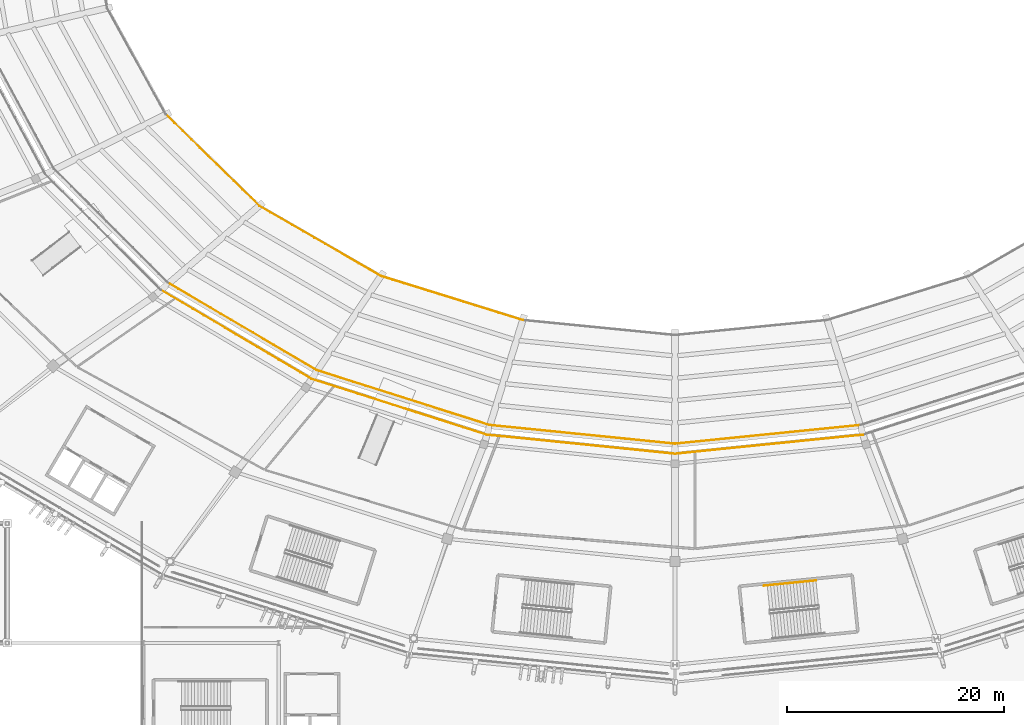
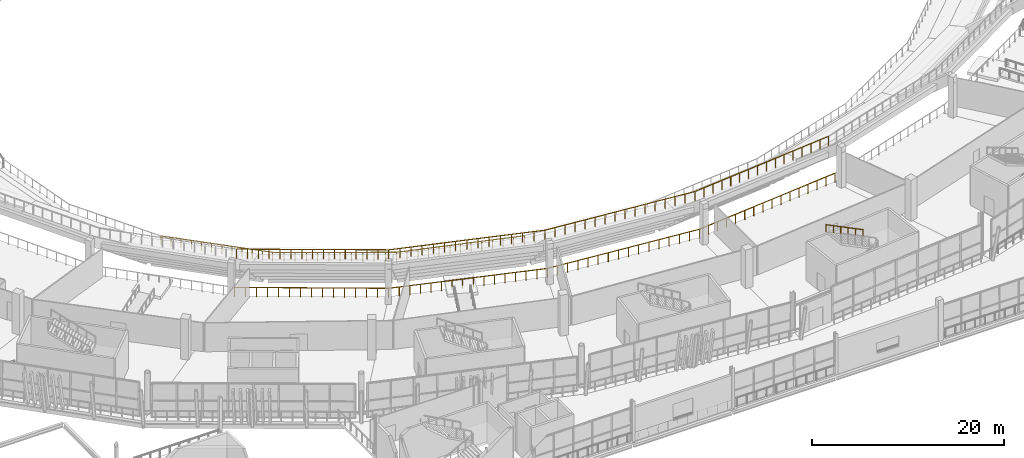
# One storey, part 150 of 178: 12 railings.
"""IFC4 building model written with IfcOpenShell, lengths in metres."""

from ifc_helpers import new_model, si_unit, direction, frame, origin, origin_2d, place, context, subcontext, project, spatial, rectangle, extrude, material, type_object, element, save


model = new_model("IFC4")

# Units and contexts
model_context = context("Model", 3, precision=1e-05, world=origin(), true_north=direction((0.0, 1.0)))
body_context = subcontext(model_context, "Body", "Model", "MODEL_VIEW")
ifc_project = project(units=[si_unit("LENGTHUNIT", "METRE"), si_unit("AREAUNIT", "SQUARE_METRE"), si_unit("VOLUMEUNIT", "CUBIC_METRE"), si_unit("PLANEANGLEUNIT", "RADIAN"), si_unit("MASSUNIT", "GRAM", prefix="KILO")], contexts=[model_context])

# Site, building, storey
site_placement = place(None, origin())
site = spatial("IfcSite", under=ifc_project, at=site_placement, CompositionType="ELEMENT")
building_placement = place(site_placement, origin())
building = spatial("IfcBuilding", under=site, at=building_placement, Name="Zlatoyarsky Gate Stadium", CompositionType="ELEMENT")
storey_placement = place(building_placement, frame((0.0, 0.0, 5.39990234375)))
storey = spatial("IfcBuildingStorey", under=building, at=storey_placement, Name="L01", CompositionType="ELEMENT", Elevation=5.39990234375)

# Railings
ifc_material_1 = material(Name="Galvanised steel sightline guardrail", Category="steel")
railing_type_1 = type_object("IfcRailingType", Name="BOWL FRONT SIGHTLINE GUARDRAIL 1150", PredefinedType="GUARDRAIL", material=ifc_material_1)
railing_1_placement = place(storey_placement, frame((64.104736328125, 59.675048828125, -3.349853515625)))
element("IfcRailing", 1, at=railing_1_placement, inside=storey, type_object=railing_type_1, Name="Lower bowl front guardrail 14", PredefinedType="GUARDRAIL", context=body_context, shape_type="SweptSolid", body=[
    extrude(rectangle(XDim=0.048095703125, YDim=0.048095703125, at=origin_2d()), frame((0.0, 0.0, 1.1259765625), z_axis=(0.714811106108, -0.699317583495, 0.0), x_axis=(0.699317583495, 0.714811106108, 0.0)), (0.0, 0.0, 1.0), 12.038818359375),
    extrude(rectangle(XDim=0.0419921875, YDim=0.0419921875, at=origin_2d()), origin(), (0.0, 0.0, 1.0), 1.101806640625),
    extrude(rectangle(XDim=0.0419921875, YDim=0.0419921875, at=origin_2d()), frame((0.7822265625, -0.765380859375, 0.0)), (0.0, 0.0, 1.0), 1.101806640625),
    extrude(rectangle(XDim=0.0419921875, YDim=0.0419921875, at=origin_2d()), frame((1.564697265625, -1.53076171875, 0.0)), (0.0, 0.0, 1.0), 1.101806640625),
    extrude(rectangle(XDim=0.0419921875, YDim=0.0419921875, at=origin_2d()), frame((2.346923828125, -2.296142578125, 0.0)), (0.0, 0.0, 1.0), 1.101806640625),
    extrude(rectangle(XDim=0.0419921875, YDim=0.0419921875, at=origin_2d()), frame((3.129150390625, -3.0615234375, 0.0)), (0.0, 0.0, 1.0), 1.101806640625),
    extrude(rectangle(XDim=0.0419921875, YDim=0.0419921875, at=origin_2d()), frame((3.91162109375, -3.826904296875, 0.0)), (0.0, 0.0, 1.0), 1.101806640625),
    extrude(rectangle(XDim=0.0419921875, YDim=0.0419921875, at=origin_2d()), frame((4.69384765625, -4.592041015625, 0.0)), (0.0, 0.0, 1.0), 1.101806640625),
    extrude(rectangle(XDim=0.0419921875, YDim=0.0419921875, at=origin_2d()), frame((5.476318359375, -5.357421875, 0.0)), (0.0, 0.0, 1.0), 1.101806640625),
    extrude(rectangle(XDim=0.0419921875, YDim=0.0419921875, at=origin_2d()), frame((6.258544921875, -6.122802734375, 0.0)), (0.0, 0.0, 1.0), 1.101806640625),
    extrude(rectangle(XDim=0.0419921875, YDim=0.0419921875, at=origin_2d()), frame((7.040771484375, -6.88818359375, 0.0)), (0.0, 0.0, 1.0), 1.101806640625),
    extrude(rectangle(XDim=0.0419921875, YDim=0.0419921875, at=origin_2d()), frame((7.8232421875, -7.653564453125, 0.0)), (0.0, 0.0, 1.0), 1.101806640625),
    extrude(rectangle(XDim=0.0419921875, YDim=0.0419921875, at=origin_2d()), frame((8.60546875, -8.4189453125, 0.0)), (0.0, 0.0, 1.0), 1.101806640625),
])
railing_2_placement = place(storey_placement, frame((72.710205078125, 51.256103515625, -3.349853515625)))
element("IfcRailing", 2, at=railing_2_placement, inside=storey, type_object=railing_type_1, Name="Lower bowl front guardrail 15", PredefinedType="GUARDRAIL", context=body_context, shape_type="SweptSolid", body=[
    extrude(rectangle(XDim=0.048095703125, YDim=0.048095703125, at=origin_2d()), frame((0.0, 0.0, 1.1259765625), z_axis=(0.866524556925, -0.499134443057, 0.0), x_axis=(0.499134443057, 0.866524556925, 0.0)), (0.0, 0.0, 1.0), 12.9423828125),
    extrude(rectangle(XDim=0.0419921875, YDim=0.0419921875, at=origin_2d()), origin(), (0.0, 0.0, 1.0), 1.101806640625),
    extrude(rectangle(XDim=0.0419921875, YDim=0.0419921875, at=origin_2d()), frame((1.01953125, -0.587158203125, 0.0)), (0.0, 0.0, 1.0), 1.101806640625),
    extrude(rectangle(XDim=0.0419921875, YDim=0.0419921875, at=origin_2d()), frame((2.0390625, -1.174560546875, 0.0)), (0.0, 0.0, 1.0), 1.101806640625),
    extrude(rectangle(XDim=0.0419921875, YDim=0.0419921875, at=origin_2d()), frame((3.05859375, -1.76171875, 0.0)), (0.0, 0.0, 1.0), 1.101806640625),
    extrude(rectangle(XDim=0.0419921875, YDim=0.0419921875, at=origin_2d()), frame((4.078125, -2.34912109375, 0.0)), (0.0, 0.0, 1.0), 1.101806640625),
    extrude(rectangle(XDim=0.0419921875, YDim=0.0419921875, at=origin_2d()), frame((5.09765625, -2.936279296875, 0.0)), (0.0, 0.0, 1.0), 1.101806640625),
    extrude(rectangle(XDim=0.0419921875, YDim=0.0419921875, at=origin_2d()), frame((6.1171875, -3.523681640625, 0.0)), (0.0, 0.0, 1.0), 1.101806640625),
    extrude(rectangle(XDim=0.0419921875, YDim=0.0419921875, at=origin_2d()), frame((7.13671875, -4.11083984375, 0.0)), (0.0, 0.0, 1.0), 1.101806640625),
    extrude(rectangle(XDim=0.0419921875, YDim=0.0419921875, at=origin_2d()), frame((8.15625, -4.6982421875, 0.0)), (0.0, 0.0, 1.0), 1.101806640625),
    extrude(rectangle(XDim=0.0419921875, YDim=0.0419921875, at=origin_2d()), frame((9.17578125, -5.285400390625, 0.0)), (0.0, 0.0, 1.0), 1.101806640625),
    extrude(rectangle(XDim=0.0419921875, YDim=0.0419921875, at=origin_2d()), frame((10.1953125, -5.872802734375, 0.0)), (0.0, 0.0, 1.0), 1.101806640625),
    extrude(rectangle(XDim=0.0419921875, YDim=0.0419921875, at=origin_2d()), frame((11.21484375, -6.4599609375, 0.0)), (0.0, 0.0, 1.0), 1.101806640625),
])
railing_3_placement = place(storey_placement, frame((83.925048828125, 44.796142578125, -3.349853515625)))
element("IfcRailing", 3, at=railing_3_placement, inside=storey, type_object=railing_type_1, Name="Lower bowl front guardrail 16", PredefinedType="GUARDRAIL", context=body_context, shape_type="SweptSolid", body=[
    extrude(rectangle(XDim=0.048095703125, YDim=0.048095703125, at=origin_2d()), frame((0.0, 0.0, 1.1259765625), z_axis=(0.954898625262, -0.296932004797, 0.0), x_axis=(0.296932004797, 0.954898625262, 0.0)), (0.0, 0.0, 1.0), 13.6767578125),
    extrude(rectangle(XDim=0.0419921875, YDim=0.0419921875, at=origin_2d()), origin(), (0.0, 0.0, 1.0), 1.101806640625),
    extrude(rectangle(XDim=0.0419921875, YDim=0.0419921875, at=origin_2d()), frame((1.08837890625, -0.33837890625, 0.0)), (0.0, 0.0, 1.0), 1.101806640625),
    extrude(rectangle(XDim=0.0419921875, YDim=0.0419921875, at=origin_2d()), frame((2.1767578125, -0.6767578125, 0.0)), (0.0, 0.0, 1.0), 1.101806640625),
    extrude(rectangle(XDim=0.0419921875, YDim=0.0419921875, at=origin_2d()), frame((3.264892578125, -1.01513671875, 0.0)), (0.0, 0.0, 1.0), 1.101806640625),
    extrude(rectangle(XDim=0.0419921875, YDim=0.0419921875, at=origin_2d()), frame((4.353271484375, -1.353759765625, 0.0)), (0.0, 0.0, 1.0), 1.101806640625),
    extrude(rectangle(XDim=0.0419921875, YDim=0.0419921875, at=origin_2d()), frame((5.441650390625, -1.692138671875, 0.0)), (0.0, 0.0, 1.0), 1.101806640625),
    extrude(rectangle(XDim=0.0419921875, YDim=0.0419921875, at=origin_2d()), frame((6.52978515625, -2.030517578125, 0.0)), (0.0, 0.0, 1.0), 1.101806640625),
    extrude(rectangle(XDim=0.0419921875, YDim=0.0419921875, at=origin_2d()), frame((7.6181640625, -2.368896484375, 0.0)), (0.0, 0.0, 1.0), 1.101806640625),
    extrude(rectangle(XDim=0.0419921875, YDim=0.0419921875, at=origin_2d()), frame((8.70654296875, -2.707275390625, 0.0)), (0.0, 0.0, 1.0), 1.101806640625),
    extrude(rectangle(XDim=0.0419921875, YDim=0.0419921875, at=origin_2d()), frame((9.794921875, -3.0458984375, 0.0)), (0.0, 0.0, 1.0), 1.101806640625),
    extrude(rectangle(XDim=0.0419921875, YDim=0.0419921875, at=origin_2d()), frame((10.88330078125, -3.38427734375, 0.0)), (0.0, 0.0, 1.0), 1.101806640625),
    extrude(rectangle(XDim=0.0419921875, YDim=0.0419921875, at=origin_2d()), frame((11.971435546875, -3.72265625, 0.0)), (0.0, 0.0, 1.0), 1.101806640625),
    extrude(rectangle(XDim=0.0419921875, YDim=0.0419921875, at=origin_2d()), frame((13.059814453125, -4.06103515625, 0.0)), (0.0, 0.0, 1.0), 1.101806640625),
])
ifc_material_2 = material(Name="Powder-coated steel tubular guardrail", Category="steel")
railing_type_2 = type_object("IfcRailingType", Name="CONCOURSE SLAB EDGE GUARDRAIL 1200", PredefinedType="GUARDRAIL", material=ifc_material_2)
railing_4_placement = place(storey_placement, frame((64.295654296875, 44.18505859375, 4.25)))
element("IfcRailing", 4, at=railing_4_placement, inside=storey, type_object=railing_type_2, Name="Lower bowl back guardrail 15", PredefinedType="GUARDRAIL", context=body_context, shape_type="SweptSolid", body=[
    extrude(rectangle(XDim=0.048095703125, YDim=0.048095703125, at=origin_2d()), frame((0.0, 0.0, 1.17578125), z_axis=(0.861863030795, -0.507141120546, 0.0), x_axis=(0.507141120546, 0.861863030795, 0.0)), (0.0, 0.0, 1.0), 15.871826171875),
    extrude(rectangle(XDim=0.0419921875, YDim=0.0419921875, at=origin_2d()), origin(), (0.0, 0.0, 1.0), 1.15185546875),
    extrude(rectangle(XDim=0.0419921875, YDim=0.0419921875, at=origin_2d()), frame((0.97705078125, -0.574951171875, 0.0)), (0.0, 0.0, 1.0), 1.15185546875),
    extrude(rectangle(XDim=0.0419921875, YDim=0.0419921875, at=origin_2d()), frame((1.9541015625, -1.14990234375, 0.0)), (0.0, 0.0, 1.0), 1.15185546875),
    extrude(rectangle(XDim=0.0419921875, YDim=0.0419921875, at=origin_2d()), frame((2.931396484375, -1.724853515625, 0.0)), (0.0, 0.0, 1.0), 1.15185546875),
    extrude(rectangle(XDim=0.0419921875, YDim=0.0419921875, at=origin_2d()), frame((3.908447265625, -2.2998046875, 0.0)), (0.0, 0.0, 1.0), 1.15185546875),
    extrude(rectangle(XDim=0.0419921875, YDim=0.0419921875, at=origin_2d()), frame((4.885498046875, -2.874755859375, 0.0)), (0.0, 0.0, 1.0), 1.15185546875),
    extrude(rectangle(XDim=0.0419921875, YDim=0.0419921875, at=origin_2d()), frame((5.862548828125, -3.44970703125, 0.0)), (0.0, 0.0, 1.0), 1.15185546875),
    extrude(rectangle(XDim=0.0419921875, YDim=0.0419921875, at=origin_2d()), frame((6.83984375, -4.024658203125, 0.0)), (0.0, 0.0, 1.0), 1.15185546875),
    extrude(rectangle(XDim=0.0419921875, YDim=0.0419921875, at=origin_2d()), frame((7.81689453125, -4.599609375, 0.0)), (0.0, 0.0, 1.0), 1.15185546875),
    extrude(rectangle(XDim=0.0419921875, YDim=0.0419921875, at=origin_2d()), frame((8.7939453125, -5.174560546875, 0.0)), (0.0, 0.0, 1.0), 1.15185546875),
    extrude(rectangle(XDim=0.0419921875, YDim=0.0419921875, at=origin_2d()), frame((9.77099609375, -5.74951171875, 0.0)), (0.0, 0.0, 1.0), 1.15185546875),
    extrude(rectangle(XDim=0.0419921875, YDim=0.0419921875, at=origin_2d()), frame((10.748046875, -6.324462890625, 0.0)), (0.0, 0.0, 1.0), 1.15185546875),
    extrude(rectangle(XDim=0.0419921875, YDim=0.0419921875, at=origin_2d()), frame((11.725341796875, -6.8994140625, 0.0)), (0.0, 0.0, 1.0), 1.15185546875),
    extrude(rectangle(XDim=0.0419921875, YDim=0.0419921875, at=origin_2d()), frame((12.702392578125, -7.474365234375, 0.0)), (0.0, 0.0, 1.0), 1.15185546875),
    extrude(rectangle(XDim=0.0419921875, YDim=0.0419921875, at=origin_2d()), frame((13.679443359375, -8.04931640625, 0.0)), (0.0, 0.0, 1.0), 1.15185546875),
])
railing_5_placement = place(storey_placement, frame((63.637939453125, 43.52734375, 0.0)))
element("IfcRailing", 5, at=railing_5_placement, inside=storey, type_object=railing_type_2, Name="L01 inner bowl edge guardrail 15", PredefinedType="GUARDRAIL", context=body_context, shape_type="SweptSolid", body=[
    extrude(rectangle(XDim=0.048095703125, YDim=0.048095703125, at=origin_2d()), frame((0.0, 0.0, 1.17578125), z_axis=(0.860929544652, -0.508724207351, 0.0), x_axis=(0.508724207351, 0.860929544652, 0.0)), (0.0, 0.0, 1.0), 16.11279296875),
    extrude(rectangle(XDim=0.0419921875, YDim=0.0419921875, at=origin_2d()), origin(), (0.0, 0.0, 1.0), 1.15185546875),
    extrude(rectangle(XDim=0.0419921875, YDim=0.0419921875, at=origin_2d()), frame((0.990966796875, -0.58544921875, 0.0)), (0.0, 0.0, 1.0), 1.15185546875),
    extrude(rectangle(XDim=0.0419921875, YDim=0.0419921875, at=origin_2d()), frame((1.981689453125, -1.1708984375, 0.0)), (0.0, 0.0, 1.0), 1.15185546875),
    extrude(rectangle(XDim=0.0419921875, YDim=0.0419921875, at=origin_2d()), frame((2.97265625, -1.756591796875, 0.0)), (0.0, 0.0, 1.0), 1.15185546875),
    extrude(rectangle(XDim=0.0419921875, YDim=0.0419921875, at=origin_2d()), frame((3.96337890625, -2.342041015625, 0.0)), (0.0, 0.0, 1.0), 1.15185546875),
    extrude(rectangle(XDim=0.0419921875, YDim=0.0419921875, at=origin_2d()), frame((4.954345703125, -2.927490234375, 0.0)), (0.0, 0.0, 1.0), 1.15185546875),
    extrude(rectangle(XDim=0.0419921875, YDim=0.0419921875, at=origin_2d()), frame((5.945068359375, -3.512939453125, 0.0)), (0.0, 0.0, 1.0), 1.15185546875),
    extrude(rectangle(XDim=0.0419921875, YDim=0.0419921875, at=origin_2d()), frame((6.93603515625, -4.0986328125, 0.0)), (0.0, 0.0, 1.0), 1.15185546875),
    extrude(rectangle(XDim=0.0419921875, YDim=0.0419921875, at=origin_2d()), frame((7.927001953125, -4.68408203125, 0.0)), (0.0, 0.0, 1.0), 1.15185546875),
    extrude(rectangle(XDim=0.0419921875, YDim=0.0419921875, at=origin_2d()), frame((8.917724609375, -5.26953125, 0.0)), (0.0, 0.0, 1.0), 1.15185546875),
    extrude(rectangle(XDim=0.0419921875, YDim=0.0419921875, at=origin_2d()), frame((9.90869140625, -5.85498046875, 0.0)), (0.0, 0.0, 1.0), 1.15185546875),
    extrude(rectangle(XDim=0.0419921875, YDim=0.0419921875, at=origin_2d()), frame((10.8994140625, -6.4404296875, 0.0)), (0.0, 0.0, 1.0), 1.15185546875),
    extrude(rectangle(XDim=0.0419921875, YDim=0.0419921875, at=origin_2d()), frame((11.890380859375, -7.026123046875, 0.0)), (0.0, 0.0, 1.0), 1.15185546875),
    extrude(rectangle(XDim=0.0419921875, YDim=0.0419921875, at=origin_2d()), frame((12.881103515625, -7.611572265625, 0.0)), (0.0, 0.0, 1.0), 1.15185546875),
    extrude(rectangle(XDim=0.0419921875, YDim=0.0419921875, at=origin_2d()), frame((13.8720703125, -8.197021484375, 0.0)), (0.0, 0.0, 1.0), 1.15185546875),
])
railing_6_placement = place(storey_placement, frame((77.97509765625, 36.1357421875, 4.25)))
element("IfcRailing", 6, at=railing_6_placement, inside=storey, type_object=railing_type_2, Name="Lower bowl back guardrail 16", PredefinedType="GUARDRAIL", context=body_context, shape_type="SweptSolid", body=[
    extrude(rectangle(XDim=0.048095703125, YDim=0.048095703125, at=origin_2d()), frame((0.0, 0.0, 1.17578125), z_axis=(0.953077784344, -0.302725514269, 0.0), x_axis=(0.302725514269, 0.953077784344, 0.0)), (0.0, 0.0, 1.0), 16.714111328125),
    extrude(rectangle(XDim=0.0419921875, YDim=0.0419921875, at=origin_2d()), origin(), (0.0, 0.0, 1.0), 1.15185546875),
    extrude(rectangle(XDim=0.0419921875, YDim=0.0419921875, at=origin_2d()), frame((1.137939453125, -0.361328125, 0.0)), (0.0, 0.0, 1.0), 1.15185546875),
    extrude(rectangle(XDim=0.0419921875, YDim=0.0419921875, at=origin_2d()), frame((2.275634765625, -0.722900390625, 0.0)), (0.0, 0.0, 1.0), 1.15185546875),
    extrude(rectangle(XDim=0.0419921875, YDim=0.0419921875, at=origin_2d()), frame((3.41357421875, -1.084228515625, 0.0)), (0.0, 0.0, 1.0), 1.15185546875),
    extrude(rectangle(XDim=0.0419921875, YDim=0.0419921875, at=origin_2d()), frame((4.551513671875, -1.445556640625, 0.0)), (0.0, 0.0, 1.0), 1.15185546875),
    extrude(rectangle(XDim=0.0419921875, YDim=0.0419921875, at=origin_2d()), frame((5.689208984375, -1.80712890625, 0.0)), (0.0, 0.0, 1.0), 1.15185546875),
    extrude(rectangle(XDim=0.0419921875, YDim=0.0419921875, at=origin_2d()), frame((6.8271484375, -2.16845703125, 0.0)), (0.0, 0.0, 1.0), 1.15185546875),
    extrude(rectangle(XDim=0.0419921875, YDim=0.0419921875, at=origin_2d()), frame((7.96484375, -2.52978515625, 0.0)), (0.0, 0.0, 1.0), 1.15185546875),
    extrude(rectangle(XDim=0.0419921875, YDim=0.0419921875, at=origin_2d()), frame((9.102783203125, -2.891357421875, 0.0)), (0.0, 0.0, 1.0), 1.15185546875),
    extrude(rectangle(XDim=0.0419921875, YDim=0.0419921875, at=origin_2d()), frame((10.24072265625, -3.252685546875, 0.0)), (0.0, 0.0, 1.0), 1.15185546875),
    extrude(rectangle(XDim=0.0419921875, YDim=0.0419921875, at=origin_2d()), frame((11.37841796875, -3.6142578125, 0.0)), (0.0, 0.0, 1.0), 1.15185546875),
    extrude(rectangle(XDim=0.0419921875, YDim=0.0419921875, at=origin_2d()), frame((12.516357421875, -3.9755859375, 0.0)), (0.0, 0.0, 1.0), 1.15185546875),
    extrude(rectangle(XDim=0.0419921875, YDim=0.0419921875, at=origin_2d()), frame((13.654296875, -4.3369140625, 0.0)), (0.0, 0.0, 1.0), 1.15185546875),
    extrude(rectangle(XDim=0.0419921875, YDim=0.0419921875, at=origin_2d()), frame((14.7919921875, -4.698486328125, 0.0)), (0.0, 0.0, 1.0), 1.15185546875),
    extrude(rectangle(XDim=0.0419921875, YDim=0.0419921875, at=origin_2d()), frame((15.929931640625, -5.059814453125, 0.0)), (0.0, 0.0, 1.0), 1.15185546875),
])
railing_7_placement = place(storey_placement, frame((77.510009765625, 35.330322265625, 0.0)))
element("IfcRailing", 7, at=railing_7_placement, inside=storey, type_object=railing_type_2, Name="L01 inner bowl edge guardrail 16", PredefinedType="GUARDRAIL", context=body_context, shape_type="SweptSolid", body=[
    extrude(rectangle(XDim=0.048095703125, YDim=0.048095703125, at=origin_2d()), frame((0.0, 0.0, 1.17578125), z_axis=(0.952706937482, -0.303890590958, 0.0), x_axis=(0.303890590958, 0.952706937482, 0.0)), (0.0, 0.0, 1.0), 16.956298828125),
    extrude(rectangle(XDim=0.0419921875, YDim=0.0419921875, at=origin_2d()), origin(), (0.0, 0.0, 1.0), 1.15185546875),
    extrude(rectangle(XDim=0.0419921875, YDim=0.0419921875, at=origin_2d()), frame((1.076904296875, -0.343505859375, 0.0)), (0.0, 0.0, 1.0), 1.15185546875),
    extrude(rectangle(XDim=0.0419921875, YDim=0.0419921875, at=origin_2d()), frame((2.15380859375, -0.68701171875, 0.0)), (0.0, 0.0, 1.0), 1.15185546875),
    extrude(rectangle(XDim=0.0419921875, YDim=0.0419921875, at=origin_2d()), frame((3.23095703125, -1.030517578125, 0.0)), (0.0, 0.0, 1.0), 1.15185546875),
    extrude(rectangle(XDim=0.0419921875, YDim=0.0419921875, at=origin_2d()), frame((4.307861328125, -1.3740234375, 0.0)), (0.0, 0.0, 1.0), 1.15185546875),
    extrude(rectangle(XDim=0.0419921875, YDim=0.0419921875, at=origin_2d()), frame((5.384765625, -1.717529296875, 0.0)), (0.0, 0.0, 1.0), 1.15185546875),
    extrude(rectangle(XDim=0.0419921875, YDim=0.0419921875, at=origin_2d()), frame((6.461669921875, -2.06103515625, 0.0)), (0.0, 0.0, 1.0), 1.15185546875),
    extrude(rectangle(XDim=0.0419921875, YDim=0.0419921875, at=origin_2d()), frame((7.53857421875, -2.404541015625, 0.0)), (0.0, 0.0, 1.0), 1.15185546875),
    extrude(rectangle(XDim=0.0419921875, YDim=0.0419921875, at=origin_2d()), frame((8.61572265625, -2.748291015625, 0.0)), (0.0, 0.0, 1.0), 1.15185546875),
    extrude(rectangle(XDim=0.0419921875, YDim=0.0419921875, at=origin_2d()), frame((9.692626953125, -3.091796875, 0.0)), (0.0, 0.0, 1.0), 1.15185546875),
    extrude(rectangle(XDim=0.0419921875, YDim=0.0419921875, at=origin_2d()), frame((10.76953125, -3.435302734375, 0.0)), (0.0, 0.0, 1.0), 1.15185546875),
    extrude(rectangle(XDim=0.0419921875, YDim=0.0419921875, at=origin_2d()), frame((11.846435546875, -3.77880859375, 0.0)), (0.0, 0.0, 1.0), 1.15185546875),
    extrude(rectangle(XDim=0.0419921875, YDim=0.0419921875, at=origin_2d()), frame((12.92333984375, -4.122314453125, 0.0)), (0.0, 0.0, 1.0), 1.15185546875),
    extrude(rectangle(XDim=0.0419921875, YDim=0.0419921875, at=origin_2d()), frame((14.00048828125, -4.4658203125, 0.0)), (0.0, 0.0, 1.0), 1.15185546875),
    extrude(rectangle(XDim=0.0419921875, YDim=0.0419921875, at=origin_2d()), frame((15.077392578125, -4.809326171875, 0.0)), (0.0, 0.0, 1.0), 1.15185546875),
    extrude(rectangle(XDim=0.0419921875, YDim=0.0419921875, at=origin_2d()), frame((16.154296875, -5.15283203125, 0.0)), (0.0, 0.0, 1.0), 1.15185546875),
])
railing_8_placement = place(storey_placement, frame((93.905029296875, 31.075927734375, 4.25)))
element("IfcRailing", 8, at=railing_8_placement, inside=storey, type_object=railing_type_2, Name="Lower bowl back guardrail 17", PredefinedType="GUARDRAIL", context=body_context, shape_type="SweptSolid", body=[
    extrude(rectangle(XDim=0.048095703125, YDim=0.048095703125, at=origin_2d()), frame((0.0, 0.0, 1.17578125), z_axis=(0.994942626701, -0.100444858373, 0.0), x_axis=(0.100444858373, 0.994942626701, 0.0)), (0.0, 0.0, 1.0), 17.181884765625),
    extrude(rectangle(XDim=0.0419921875, YDim=0.0419921875, at=origin_2d()), origin(), (0.0, 0.0, 1.0), 1.15185546875),
    extrude(rectangle(XDim=0.0419921875, YDim=0.0419921875, at=origin_2d()), frame((1.1396484375, -0.114990234375, 0.0)), (0.0, 0.0, 1.0), 1.15185546875),
    extrude(rectangle(XDim=0.0419921875, YDim=0.0419921875, at=origin_2d()), frame((2.279296875, -0.230224609375, 0.0)), (0.0, 0.0, 1.0), 1.15185546875),
    extrude(rectangle(XDim=0.0419921875, YDim=0.0419921875, at=origin_2d()), frame((3.4189453125, -0.34521484375, 0.0)), (0.0, 0.0, 1.0), 1.15185546875),
    extrude(rectangle(XDim=0.0419921875, YDim=0.0419921875, at=origin_2d()), frame((4.55859375, -0.460205078125, 0.0)), (0.0, 0.0, 1.0), 1.15185546875),
    extrude(rectangle(XDim=0.0419921875, YDim=0.0419921875, at=origin_2d()), frame((5.6982421875, -0.5751953125, 0.0)), (0.0, 0.0, 1.0), 1.15185546875),
    extrude(rectangle(XDim=0.0419921875, YDim=0.0419921875, at=origin_2d()), frame((6.837890625, -0.6904296875, 0.0)), (0.0, 0.0, 1.0), 1.15185546875),
    extrude(rectangle(XDim=0.0419921875, YDim=0.0419921875, at=origin_2d()), frame((7.9775390625, -0.805419921875, 0.0)), (0.0, 0.0, 1.0), 1.15185546875),
    extrude(rectangle(XDim=0.0419921875, YDim=0.0419921875, at=origin_2d()), frame((9.117431640625, -0.92041015625, 0.0)), (0.0, 0.0, 1.0), 1.15185546875),
    extrude(rectangle(XDim=0.0419921875, YDim=0.0419921875, at=origin_2d()), frame((10.257080078125, -1.035400390625, 0.0)), (0.0, 0.0, 1.0), 1.15185546875),
    extrude(rectangle(XDim=0.0419921875, YDim=0.0419921875, at=origin_2d()), frame((11.396728515625, -1.150634765625, 0.0)), (0.0, 0.0, 1.0), 1.15185546875),
    extrude(rectangle(XDim=0.0419921875, YDim=0.0419921875, at=origin_2d()), frame((12.536376953125, -1.265625, 0.0)), (0.0, 0.0, 1.0), 1.15185546875),
    extrude(rectangle(XDim=0.0419921875, YDim=0.0419921875, at=origin_2d()), frame((13.676025390625, -1.380615234375, 0.0)), (0.0, 0.0, 1.0), 1.15185546875),
    extrude(rectangle(XDim=0.0419921875, YDim=0.0419921875, at=origin_2d()), frame((14.815673828125, -1.49560546875, 0.0)), (0.0, 0.0, 1.0), 1.15185546875),
    extrude(rectangle(XDim=0.0419921875, YDim=0.0419921875, at=origin_2d()), frame((15.955322265625, -1.61083984375, 0.0)), (0.0, 0.0, 1.0), 1.15185546875),
    extrude(rectangle(XDim=0.0419921875, YDim=0.0419921875, at=origin_2d()), frame((17.094970703125, -1.725830078125, 0.0)), (0.0, 0.0, 1.0), 1.15185546875),
])
railing_9_placement = place(storey_placement, frame((93.664306640625, 30.177490234375, 0.0)))
element("IfcRailing", 9, at=railing_9_placement, inside=storey, type_object=railing_type_2, Name="L01 inner bowl edge guardrail 17", PredefinedType="GUARDRAIL", context=body_context, shape_type="SweptSolid", body=[
    extrude(rectangle(XDim=0.048095703125, YDim=0.048095703125, at=origin_2d()), frame((0.0, 0.0, 1.17578125), z_axis=(0.994899888432, -0.100867298954, 0.0), x_axis=(0.100867298954, 0.994899888432, 0.0)), (0.0, 0.0, 1.0), 17.424560546875),
    extrude(rectangle(XDim=0.0419921875, YDim=0.0419921875, at=origin_2d()), origin(), (0.0, 0.0, 1.0), 1.15185546875),
    extrude(rectangle(XDim=0.0419921875, YDim=0.0419921875, at=origin_2d()), frame((1.15576171875, -0.1171875, 0.0)), (0.0, 0.0, 1.0), 1.15185546875),
    extrude(rectangle(XDim=0.0419921875, YDim=0.0419921875, at=origin_2d()), frame((2.3115234375, -0.234375, 0.0)), (0.0, 0.0, 1.0), 1.15185546875),
    extrude(rectangle(XDim=0.0419921875, YDim=0.0419921875, at=origin_2d()), frame((3.467041015625, -0.3515625, 0.0)), (0.0, 0.0, 1.0), 1.15185546875),
    extrude(rectangle(XDim=0.0419921875, YDim=0.0419921875, at=origin_2d()), frame((4.622802734375, -0.46875, 0.0)), (0.0, 0.0, 1.0), 1.15185546875),
    extrude(rectangle(XDim=0.0419921875, YDim=0.0419921875, at=origin_2d()), frame((5.778564453125, -0.5859375, 0.0)), (0.0, 0.0, 1.0), 1.15185546875),
    extrude(rectangle(XDim=0.0419921875, YDim=0.0419921875, at=origin_2d()), frame((6.934326171875, -0.703125, 0.0)), (0.0, 0.0, 1.0), 1.15185546875),
    extrude(rectangle(XDim=0.0419921875, YDim=0.0419921875, at=origin_2d()), frame((8.090087890625, -0.8203125, 0.0)), (0.0, 0.0, 1.0), 1.15185546875),
    extrude(rectangle(XDim=0.0419921875, YDim=0.0419921875, at=origin_2d()), frame((9.24560546875, -0.937255859375, 0.0)), (0.0, 0.0, 1.0), 1.15185546875),
    extrude(rectangle(XDim=0.0419921875, YDim=0.0419921875, at=origin_2d()), frame((10.4013671875, -1.054443359375, 0.0)), (0.0, 0.0, 1.0), 1.15185546875),
    extrude(rectangle(XDim=0.0419921875, YDim=0.0419921875, at=origin_2d()), frame((11.55712890625, -1.171630859375, 0.0)), (0.0, 0.0, 1.0), 1.15185546875),
    extrude(rectangle(XDim=0.0419921875, YDim=0.0419921875, at=origin_2d()), frame((12.712890625, -1.288818359375, 0.0)), (0.0, 0.0, 1.0), 1.15185546875),
    extrude(rectangle(XDim=0.0419921875, YDim=0.0419921875, at=origin_2d()), frame((13.86865234375, -1.406005859375, 0.0)), (0.0, 0.0, 1.0), 1.15185546875),
    extrude(rectangle(XDim=0.0419921875, YDim=0.0419921875, at=origin_2d()), frame((15.024169921875, -1.523193359375, 0.0)), (0.0, 0.0, 1.0), 1.15185546875),
    extrude(rectangle(XDim=0.0419921875, YDim=0.0419921875, at=origin_2d()), frame((16.179931640625, -1.640380859375, 0.0)), (0.0, 0.0, 1.0), 1.15185546875),
    extrude(rectangle(XDim=0.0419921875, YDim=0.0419921875, at=origin_2d()), frame((17.335693359375, -1.757568359375, 0.0)), (0.0, 0.0, 1.0), 1.15185546875),
])
railing_10_placement = place(storey_placement, frame((111.0, 29.35009765625, 4.25)))
element("IfcRailing", 10, at=railing_10_placement, inside=storey, type_object=railing_type_2, Name="Lower bowl back guardrail 18", PredefinedType="GUARDRAIL", context=body_context, shape_type="SweptSolid", body=[
    extrude(rectangle(XDim=0.048095703125, YDim=0.048095703125, at=origin_2d()), frame((0.0, 0.0, 1.17578125), z_axis=(0.994942626701, 0.100444858373, 0.0), x_axis=(-0.100444858373, 0.994942626701, 0.0)), (0.0, 0.0, 1.0), 17.181884765625),
    extrude(rectangle(XDim=0.0419921875, YDim=0.0419921875, at=origin_2d()), origin(), (0.0, 0.0, 1.0), 1.15185546875),
    extrude(rectangle(XDim=0.0419921875, YDim=0.0419921875, at=origin_2d()), frame((1.1396484375, 0.114990234375, 0.0)), (0.0, 0.0, 1.0), 1.15185546875),
    extrude(rectangle(XDim=0.0419921875, YDim=0.0419921875, at=origin_2d()), frame((2.279296875, 0.230224609375, 0.0)), (0.0, 0.0, 1.0), 1.15185546875),
    extrude(rectangle(XDim=0.0419921875, YDim=0.0419921875, at=origin_2d()), frame((3.4189453125, 0.34521484375, 0.0)), (0.0, 0.0, 1.0), 1.15185546875),
    extrude(rectangle(XDim=0.0419921875, YDim=0.0419921875, at=origin_2d()), frame((4.55859375, 0.460205078125, 0.0)), (0.0, 0.0, 1.0), 1.15185546875),
    extrude(rectangle(XDim=0.0419921875, YDim=0.0419921875, at=origin_2d()), frame((5.6982421875, 0.5751953125, 0.0)), (0.0, 0.0, 1.0), 1.15185546875),
    extrude(rectangle(XDim=0.0419921875, YDim=0.0419921875, at=origin_2d()), frame((6.837890625, 0.6904296875, 0.0)), (0.0, 0.0, 1.0), 1.15185546875),
    extrude(rectangle(XDim=0.0419921875, YDim=0.0419921875, at=origin_2d()), frame((7.9775390625, 0.805419921875, 0.0)), (0.0, 0.0, 1.0), 1.15185546875),
    extrude(rectangle(XDim=0.0419921875, YDim=0.0419921875, at=origin_2d()), frame((9.117431640625, 0.92041015625, 0.0)), (0.0, 0.0, 1.0), 1.15185546875),
    extrude(rectangle(XDim=0.0419921875, YDim=0.0419921875, at=origin_2d()), frame((10.257080078125, 1.035400390625, 0.0)), (0.0, 0.0, 1.0), 1.15185546875),
    extrude(rectangle(XDim=0.0419921875, YDim=0.0419921875, at=origin_2d()), frame((11.396728515625, 1.150634765625, 0.0)), (0.0, 0.0, 1.0), 1.15185546875),
    extrude(rectangle(XDim=0.0419921875, YDim=0.0419921875, at=origin_2d()), frame((12.536376953125, 1.265625, 0.0)), (0.0, 0.0, 1.0), 1.15185546875),
    extrude(rectangle(XDim=0.0419921875, YDim=0.0419921875, at=origin_2d()), frame((13.676025390625, 1.380615234375, 0.0)), (0.0, 0.0, 1.0), 1.15185546875),
    extrude(rectangle(XDim=0.0419921875, YDim=0.0419921875, at=origin_2d()), frame((14.815673828125, 1.49560546875, 0.0)), (0.0, 0.0, 1.0), 1.15185546875),
    extrude(rectangle(XDim=0.0419921875, YDim=0.0419921875, at=origin_2d()), frame((15.955322265625, 1.61083984375, 0.0)), (0.0, 0.0, 1.0), 1.15185546875),
    extrude(rectangle(XDim=0.0419921875, YDim=0.0419921875, at=origin_2d()), frame((17.094970703125, 1.725830078125, 0.0)), (0.0, 0.0, 1.0), 1.15185546875),
])
railing_11_placement = place(storey_placement, frame((111.0, 28.419921875, 0.0)))
element("IfcRailing", 11, at=railing_11_placement, inside=storey, type_object=railing_type_2, Name="L01 inner bowl edge guardrail 18", PredefinedType="GUARDRAIL", context=body_context, shape_type="SweptSolid", body=[
    extrude(rectangle(XDim=0.048095703125, YDim=0.048095703125, at=origin_2d()), frame((0.0, 0.0, 1.17578125), z_axis=(0.994899888432, 0.100867298954, 0.0), x_axis=(-0.100867298954, 0.994899888432, 0.0)), (0.0, 0.0, 1.0), 17.424560546875),
    extrude(rectangle(XDim=0.0419921875, YDim=0.0419921875, at=origin_2d()), origin(), (0.0, 0.0, 1.0), 1.15185546875),
    extrude(rectangle(XDim=0.0419921875, YDim=0.0419921875, at=origin_2d()), frame((1.15576171875, 0.1171875, 0.0)), (0.0, 0.0, 1.0), 1.15185546875),
    extrude(rectangle(XDim=0.0419921875, YDim=0.0419921875, at=origin_2d()), frame((2.3115234375, 0.234375, 0.0)), (0.0, 0.0, 1.0), 1.15185546875),
    extrude(rectangle(XDim=0.0419921875, YDim=0.0419921875, at=origin_2d()), frame((3.467041015625, 0.3515625, 0.0)), (0.0, 0.0, 1.0), 1.15185546875),
    extrude(rectangle(XDim=0.0419921875, YDim=0.0419921875, at=origin_2d()), frame((4.622802734375, 0.46875, 0.0)), (0.0, 0.0, 1.0), 1.15185546875),
    extrude(rectangle(XDim=0.0419921875, YDim=0.0419921875, at=origin_2d()), frame((5.778564453125, 0.5859375, 0.0)), (0.0, 0.0, 1.0), 1.15185546875),
    extrude(rectangle(XDim=0.0419921875, YDim=0.0419921875, at=origin_2d()), frame((6.934326171875, 0.703125, 0.0)), (0.0, 0.0, 1.0), 1.15185546875),
    extrude(rectangle(XDim=0.0419921875, YDim=0.0419921875, at=origin_2d()), frame((8.090087890625, 0.8203125, 0.0)), (0.0, 0.0, 1.0), 1.15185546875),
    extrude(rectangle(XDim=0.0419921875, YDim=0.0419921875, at=origin_2d()), frame((9.24560546875, 0.937255859375, 0.0)), (0.0, 0.0, 1.0), 1.15185546875),
    extrude(rectangle(XDim=0.0419921875, YDim=0.0419921875, at=origin_2d()), frame((10.4013671875, 1.054443359375, 0.0)), (0.0, 0.0, 1.0), 1.15185546875),
    extrude(rectangle(XDim=0.0419921875, YDim=0.0419921875, at=origin_2d()), frame((11.55712890625, 1.171630859375, 0.0)), (0.0, 0.0, 1.0), 1.15185546875),
    extrude(rectangle(XDim=0.0419921875, YDim=0.0419921875, at=origin_2d()), frame((12.712890625, 1.288818359375, 0.0)), (0.0, 0.0, 1.0), 1.15185546875),
    extrude(rectangle(XDim=0.0419921875, YDim=0.0419921875, at=origin_2d()), frame((13.86865234375, 1.406005859375, 0.0)), (0.0, 0.0, 1.0), 1.15185546875),
    extrude(rectangle(XDim=0.0419921875, YDim=0.0419921875, at=origin_2d()), frame((15.024169921875, 1.523193359375, 0.0)), (0.0, 0.0, 1.0), 1.15185546875),
    extrude(rectangle(XDim=0.0419921875, YDim=0.0419921875, at=origin_2d()), frame((16.179931640625, 1.640380859375, 0.0)), (0.0, 0.0, 1.0), 1.15185546875),
    extrude(rectangle(XDim=0.0419921875, YDim=0.0419921875, at=origin_2d()), frame((17.335693359375, 1.757568359375, 0.0)), (0.0, 0.0, 1.0), 1.15185546875),
])
ifc_material_3 = material(Name="Brushed stainless steel 316 handrail", Category="steel")
railing_type_3 = type_object("IfcRailingType", Name="STAINLESS STEEL TUBULAR HANDRAIL 900", PredefinedType="HANDRAIL", material=ifc_material_3)
railing_12_placement = place(storey_placement, frame((123.978515625, 16.75439453125, 2.7666015625)))
element("IfcRailing", 12, at=railing_12_placement, inside=storey, type_object=railing_type_3, Name="ST-10 L01 stair handrail 2", PredefinedType="HANDRAIL", context=body_context, shape_type="SweptSolid", body=[
    extrude(rectangle(XDim=0.048095703125, YDim=0.048095703125, at=origin_2d()), frame((0.0, 0.0, 0.8759765625), z_axis=(-0.874874668659, -0.08792575394, 0.47630176982), x_axis=(0.099997231792, -0.994987715318, 0.0)), (0.0, 0.0, 1.0), 5.458984375),
    extrude(rectangle(XDim=0.0419921875, YDim=0.0419921875, at=origin_2d()), origin(), (0.0, 0.0, 1.0), 0.851806640625),
    extrude(rectangle(XDim=0.0419921875, YDim=0.0419921875, at=origin_2d()), frame((-0.955078125, -0.095947265625, 0.52001953125)), (0.0, 0.0, 1.0), 0.851806640625),
    extrude(rectangle(XDim=0.0419921875, YDim=0.0419921875, at=origin_2d()), frame((-1.910400390625, -0.19189453125, 1.0400390625)), (0.0, 0.0, 1.0), 0.851806640625),
    extrude(rectangle(XDim=0.0419921875, YDim=0.0419921875, at=origin_2d()), frame((-2.865478515625, -0.2880859375, 1.56005859375)), (0.0, 0.0, 1.0), 0.851806640625),
    extrude(rectangle(XDim=0.0419921875, YDim=0.0419921875, at=origin_2d()), frame((-3.82080078125, -0.384033203125, 2.080078125)), (0.0, 0.0, 1.0), 0.851806640625),
    extrude(rectangle(XDim=0.0419921875, YDim=0.0419921875, at=origin_2d()), frame((-4.77587890625, -0.47998046875, 2.60009765625)), (0.0, 0.0, 1.0), 0.851806640625),
])

save(model, "model.ifc")
